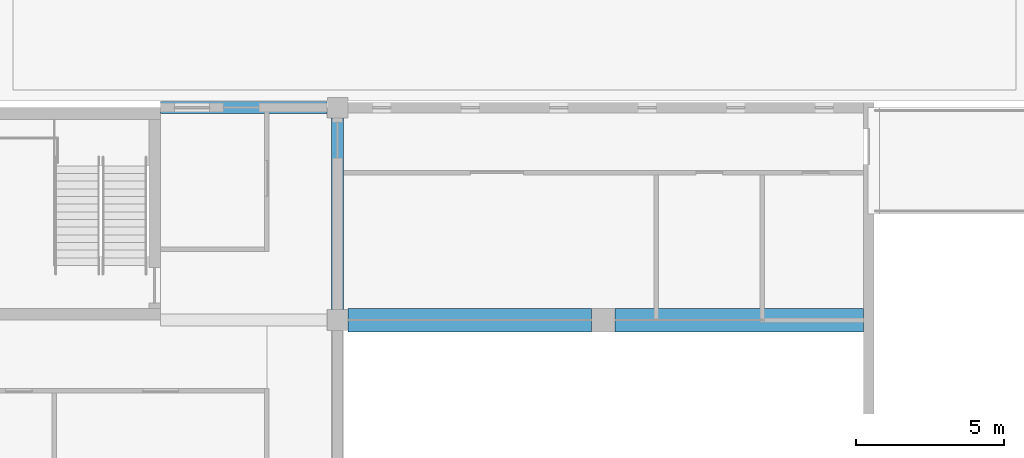
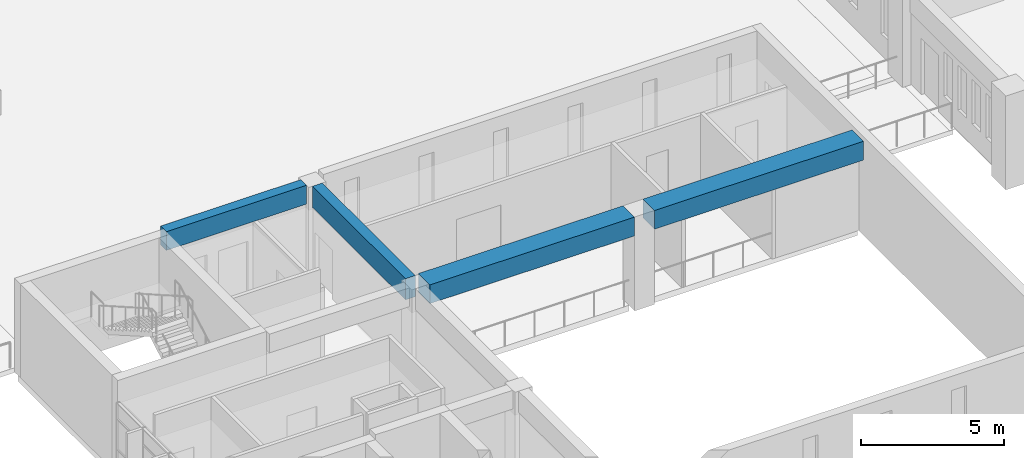
# One storey, part 36 of 101: 4 beams.
"""IFC4 building model written with IfcOpenShell, lengths in metres."""

from ifc_helpers import new_model, si_unit, direction, frame, origin, origin_2d, place, context, subcontext, project, spatial, rectangle, extrude, material, material_profile, profile_set, type_object, element, save


model = new_model("IFC4")

# Units and contexts
model_context = context("Model", 3, precision=1e-05, world=origin(), true_north=direction((0.0, 1.0)))
body_context = subcontext(model_context, "Body", "Model", "MODEL_VIEW")
ifc_project = project(units=[si_unit("LENGTHUNIT", "METRE"), si_unit("AREAUNIT", "SQUARE_METRE"), si_unit("VOLUMEUNIT", "CUBIC_METRE"), si_unit("PLANEANGLEUNIT", "RADIAN"), si_unit("MASSUNIT", "GRAM", prefix="KILO")], contexts=[model_context])

# Site, building, storey
site_placement = place(None, origin())
site = spatial("IfcSite", under=ifc_project, at=site_placement, CompositionType="ELEMENT")
building_placement = place(site_placement, origin())
building = spatial("IfcBuilding", under=site, at=building_placement, Name="Laocheng Heights Fire and Rescue Headquarters", CompositionType="ELEMENT")
storey_placement = place(building_placement, frame((0.0, 0.0, 8.39990234375)))
storey = spatial("IfcBuildingStorey", under=building, at=storey_placement, Name="L02", CompositionType="ELEMENT", Elevation=8.39990234375)

# Beams
ifc_material_1 = material(Name="Concrete C40", Category="concrete")
ifc_material_profile_1 = material_profile(ifc_material_1, rectangle(XDim=0.39990234375, YDim=0.800048828125, at=origin_2d()), Name="RC BEAM 400x800 FOYER")
ifc_profile_set_1 = profile_set([ifc_material_profile_1], Name="Concrete C40")
beam_type_1 = type_object("IfcBeamType", Name="RC BEAM 400x800 FOYER", PredefinedType="BEAM", material=ifc_profile_set_1)
beam_1_placement = place(storey_placement, frame((6.0, 57.60009765625, 3.60009765625), z_axis=(1.0, 0.0, 0.0), x_axis=(0.0, 1.0, 0.0)))
element("IfcBeam", 1, at=beam_1_placement, inside=storey, type_object=beam_type_1, Name="Foyer beam L02", PredefinedType="BEAM", context=body_context, shape_type="SweptSolid", body=[
    extrude(rectangle(XDim=0.39990234375, YDim=0.800048828125, at=origin_2d()), origin(), (0.0, 0.0, 1.0), 5.64990234375),
])
ifc_material_2 = material(Name="Concrete C40", Category="concrete")
ifc_material_profile_2 = material_profile(ifc_material_2, rectangle(XDim=0.39990234375, YDim=0.89990234375, at=origin_2d()), Name="RC BEAM 400x900 FOYER")
ifc_profile_set_2 = profile_set([ifc_material_profile_2], Name="Concrete C40")
beam_type_2 = type_object("IfcBeamType", Name="RC BEAM 400x900 FOYER", PredefinedType="BEAM", material=ifc_profile_set_2)
beam_2_placement = place(storey_placement, frame((12.0, 50.75, 3.550048828125), z_axis=(0.0, 1.0, 0.0), x_axis=(-1.0, 0.0, 0.0)))
element("IfcBeam", 2, at=beam_2_placement, inside=storey, type_object=beam_type_2, Name="Foyer beam L02", PredefinedType="BEAM", context=body_context, shape_type="SweptSolid", body=[
    extrude(rectangle(XDim=0.39990234375, YDim=0.89990234375, at=origin_2d()), origin(), (0.0, 0.0, 1.0), 6.5),
])
ifc_material_3 = material(Name="Concrete C40", Category="concrete")
ifc_material_profile_3 = material_profile(ifc_material_3, rectangle(XDim=0.800048828125, YDim=0.800048828125, at=origin_2d()), Name="RC BEAM 800x800 UPPER GALLERY")
ifc_profile_set_3 = profile_set([ifc_material_profile_3], Name="Concrete C40")
beam_type_3 = type_object("IfcBeamType", Name="RC BEAM 800x800 UPPER GALLERY", PredefinedType="BEAM", material=ifc_profile_set_3)
beam_3_placement = place(storey_placement, frame((12.35009765625, 50.39990234375, 3.60009765625), z_axis=(1.0, 0.0, 0.0), x_axis=(0.0, 1.0, 0.0)))
element("IfcBeam", 3, at=beam_3_placement, inside=storey, type_object=beam_type_3, Name="Theatre balcony beam L02", PredefinedType="BEAM", context=body_context, shape_type="SweptSolid", body=[
    extrude(rectangle(XDim=0.800048828125, YDim=0.800048828125, at=origin_2d()), origin(), (0.0, 0.0, 1.0), 8.25),
])
beam_4_placement = place(storey_placement, frame((21.39990234375, 50.39990234375, 3.60009765625), z_axis=(1.0, 0.0, 0.0), x_axis=(0.0, 1.0, 0.0)))
element("IfcBeam", 4, at=beam_4_placement, inside=storey, type_object=beam_type_3, Name="Theatre balcony beam L02", PredefinedType="BEAM", context=body_context, shape_type="SweptSolid", body=[
    extrude(rectangle(XDim=0.800048828125, YDim=0.800048828125, at=origin_2d()), origin(), (0.0, 0.0, 1.0), 8.425048828125),
])

save(model, "model.ifc")
